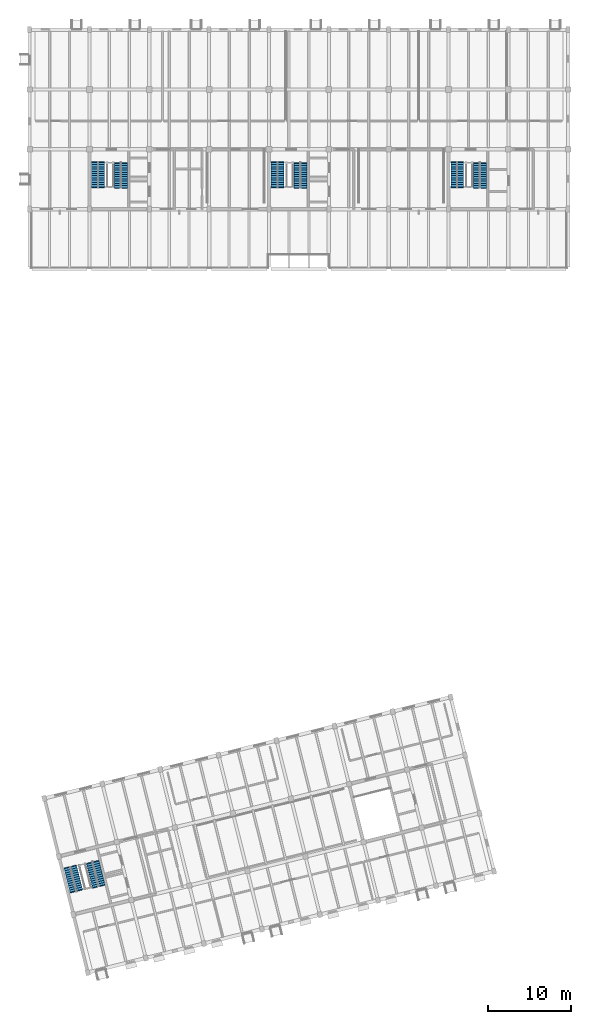
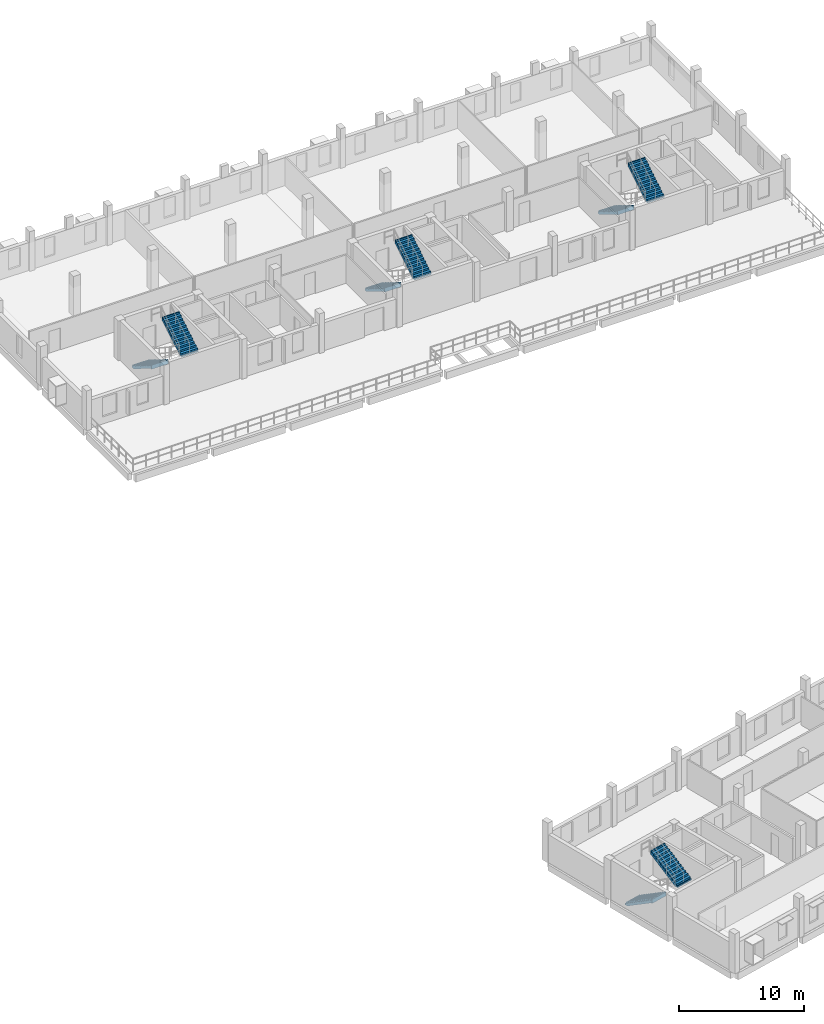
# One storey, part 12 of 14: 8 stair flights, 4 elements without a shape of their own.
"""IFC4 building model written with IfcOpenShell, lengths in metres."""

from ifc_helpers import new_model, si_unit, direction, frame, origin, place, context, subcontext, project, spatial, polyline, outline, extrude, material, type_object, element, aggregate, save


model = new_model("IFC4")

# Units and contexts
model_context = context("Model", 3, precision=1e-05, world=origin(), true_north=direction((0.0, 1.0)))
body_context = subcontext(model_context, "Body", "Model", "MODEL_VIEW")
ifc_project = project(units=[si_unit("LENGTHUNIT", "METRE"), si_unit("AREAUNIT", "SQUARE_METRE"), si_unit("VOLUMEUNIT", "CUBIC_METRE"), si_unit("PLANEANGLEUNIT", "RADIAN"), si_unit("MASSUNIT", "GRAM", prefix="KILO")], contexts=[model_context])

# Site, building, storey
site_placement = place(None, origin())
site = spatial("IfcSite", under=ifc_project, at=site_placement, CompositionType="ELEMENT")
building_placement = place(site_placement, origin())
building = spatial("IfcBuilding", under=site, at=building_placement, Name="Qiaolan Assembly House", CompositionType="ELEMENT")
storey_placement = place(building_placement, frame((0.0, 0.0, 22.5)))
storey = spatial("IfcBuildingStorey", under=building, at=storey_placement, Name="L05", CompositionType="ELEMENT", Elevation=22.5)

# Stair, stair flights
ifc_material = material(Name="Concrete C40/50", Category="concrete")
stair_type = type_object("IfcStairType", Name="STR-UPPER-390", PredefinedType="HALF_TURN_STAIR", material=ifc_material)
stair_1_placement = place(storey_placement, origin())
stair_1 = element("IfcStair", 1, at=stair_1_placement, inside=storey, type_object=stair_type, Name="ST-08 enclosed egress stair CORE-A L05", PredefinedType="HALF_TURN_STAIR")
stair_flight_type = type_object("IfcStairFlightType", Name="STR-UPPER-390-FLT", PredefinedType="STRAIGHT", material=ifc_material)
stair_flight_1_placement = place(storey_placement, frame((44.25, 99.2099609375, 0.0), z_axis=(0.0, 0.0, 1.0), x_axis=(0.0, -1.0, 0.0)))
stair_flight_1 = element("IfcStairFlight", 2, at=stair_flight_1_placement, type_object=stair_flight_type, Name="ST-08F stair flight FLT-CORE-A-L05-1", NumberOfRisers=12, NumberOfTreads=11, PredefinedType="STRAIGHT", RiserHeight=0.1625, TreadLength=0.265, context=body_context, shape_type="SweptSolid", body=[
    extrude(outline(polyline([(-0.10009765625, -0.1201171875), (-0.10009765625, 0.0), (0.0, 0.0), (0.0, 0.16259765625), (0.264892578125, 0.16259765625), (0.264892578125, 0.324951171875), (0.530029296875, 0.324951171875), (0.530029296875, 0.487548828125), (0.794921875, 0.487548828125), (0.794921875, 0.64990234375), (1.06005859375, 0.64990234375), (1.06005859375, 0.8125), (1.324951171875, 0.8125), (1.324951171875, 0.97509765625), (1.590087890625, 0.97509765625), (1.590087890625, 1.137451171875), (1.85498046875, 1.137451171875), (1.85498046875, 1.300048828125), (2.1201171875, 1.300048828125), (2.1201171875, 1.46240234375), (2.385009765625, 1.46240234375), (2.385009765625, 1.625), (2.64990234375, 1.625), (2.64990234375, 1.78759765625), (2.9150390625, 1.78759765625), (2.9150390625, 1.949951171875), (3.03515625, 1.949951171875), (3.03515625, 1.552978515625), (2.9150390625, 1.552978515625), (0.1865234375, -0.1201171875), (-0.10009765625, -0.1201171875)])), frame((0.0, 0.780029296875, 0.0), z_axis=(0.0, -1.0, 0.0), x_axis=(1.0, 0.0, 0.0)), (0.0, 0.0, 1.0), 1.56005859375),
])
stair_flight_2_placement = place(storey_placement, frame((47.0, 96.175048828125, 1.949951171875), z_axis=(0.0, 0.0, 1.0), x_axis=(0.0, 1.0, 0.0)))
stair_flight_2 = element("IfcStairFlight", 3, at=stair_flight_2_placement, type_object=stair_flight_type, Name="ST-08F stair flight FLT-CORE-A-L05-2", NumberOfRisers=12, NumberOfTreads=11, PredefinedType="STRAIGHT", RiserHeight=0.1625, TreadLength=0.265, context=body_context, shape_type="SweptSolid", body=[
    extrude(outline(polyline([(-0.10009765625, -0.1201171875), (-0.10009765625, 0.0), (0.0, 0.0), (0.0, 0.16259765625), (0.264892578125, 0.16259765625), (0.264892578125, 0.324951171875), (0.530029296875, 0.324951171875), (0.530029296875, 0.487548828125), (0.794921875, 0.487548828125), (0.794921875, 0.64990234375), (1.06005859375, 0.64990234375), (1.06005859375, 0.8125), (1.324951171875, 0.8125), (1.324951171875, 0.97509765625), (1.590087890625, 0.97509765625), (1.590087890625, 1.137451171875), (1.85498046875, 1.137451171875), (1.85498046875, 1.300048828125), (2.1201171875, 1.300048828125), (2.1201171875, 1.46240234375), (2.385009765625, 1.46240234375), (2.385009765625, 1.625), (2.64990234375, 1.625), (2.64990234375, 1.78759765625), (2.9150390625, 1.78759765625), (2.9150390625, 1.949951171875), (3.03515625, 1.949951171875), (3.03515625, 1.552978515625), (2.9150390625, 1.552978515625), (0.1865234375, -0.1201171875), (-0.10009765625, -0.1201171875)])), frame((0.0, 0.780029296875, 0.0), z_axis=(0.0, -1.0, 0.0), x_axis=(1.0, 0.0, 0.0)), (0.0, 0.0, 1.0), 1.56005859375),
])
aggregate(stair_1, [stair_flight_1, stair_flight_2])

stair_2_placement = place(storey_placement, origin())
stair_2 = element("IfcStair", 4, at=stair_2_placement, inside=storey, type_object=stair_type, Name="ST-08 enclosed egress stair CORE-B L05", PredefinedType="HALF_TURN_STAIR")
stair_flight_3_placement = place(storey_placement, frame((65.85009765625, 99.2099609375, 0.0), z_axis=(0.0, 0.0, 1.0), x_axis=(0.0, -1.0, 0.0)))
stair_flight_3 = element("IfcStairFlight", 5, at=stair_flight_3_placement, type_object=stair_flight_type, Name="ST-08F stair flight FLT-CORE-B-L05-1", NumberOfRisers=12, NumberOfTreads=11, PredefinedType="STRAIGHT", RiserHeight=0.1625, TreadLength=0.265, context=body_context, shape_type="SweptSolid", body=[
    extrude(outline(polyline([(-0.10009765625, -0.1201171875), (-0.10009765625, 0.0), (0.0, 0.0), (0.0, 0.16259765625), (0.264892578125, 0.16259765625), (0.264892578125, 0.324951171875), (0.530029296875, 0.324951171875), (0.530029296875, 0.487548828125), (0.794921875, 0.487548828125), (0.794921875, 0.64990234375), (1.06005859375, 0.64990234375), (1.06005859375, 0.8125), (1.324951171875, 0.8125), (1.324951171875, 0.97509765625), (1.590087890625, 0.97509765625), (1.590087890625, 1.137451171875), (1.85498046875, 1.137451171875), (1.85498046875, 1.300048828125), (2.1201171875, 1.300048828125), (2.1201171875, 1.46240234375), (2.385009765625, 1.46240234375), (2.385009765625, 1.625), (2.64990234375, 1.625), (2.64990234375, 1.78759765625), (2.9150390625, 1.78759765625), (2.9150390625, 1.949951171875), (3.03515625, 1.949951171875), (3.03515625, 1.552978515625), (2.9150390625, 1.552978515625), (0.1865234375, -0.1201171875), (-0.10009765625, -0.1201171875)])), frame((0.0, 0.780029296875, 0.0), z_axis=(0.0, -1.0, 0.0), x_axis=(1.0, 0.0, 0.0)), (0.0, 0.0, 1.0), 1.56005859375),
])
stair_flight_4_placement = place(storey_placement, frame((68.60009765625, 96.175048828125, 1.949951171875), z_axis=(0.0, 0.0, 1.0), x_axis=(0.0, 1.0, 0.0)))
stair_flight_4 = element("IfcStairFlight", 6, at=stair_flight_4_placement, type_object=stair_flight_type, Name="ST-08F stair flight FLT-CORE-B-L05-2", NumberOfRisers=12, NumberOfTreads=11, PredefinedType="STRAIGHT", RiserHeight=0.1625, TreadLength=0.265, context=body_context, shape_type="SweptSolid", body=[
    extrude(outline(polyline([(-0.10009765625, -0.1201171875), (-0.10009765625, 0.0), (0.0, 0.0), (0.0, 0.16259765625), (0.264892578125, 0.16259765625), (0.264892578125, 0.324951171875), (0.530029296875, 0.324951171875), (0.530029296875, 0.487548828125), (0.794921875, 0.487548828125), (0.794921875, 0.64990234375), (1.06005859375, 0.64990234375), (1.06005859375, 0.8125), (1.324951171875, 0.8125), (1.324951171875, 0.97509765625), (1.590087890625, 0.97509765625), (1.590087890625, 1.137451171875), (1.85498046875, 1.137451171875), (1.85498046875, 1.300048828125), (2.1201171875, 1.300048828125), (2.1201171875, 1.46240234375), (2.385009765625, 1.46240234375), (2.385009765625, 1.625), (2.64990234375, 1.625), (2.64990234375, 1.78759765625), (2.9150390625, 1.78759765625), (2.9150390625, 1.949951171875), (3.03515625, 1.949951171875), (3.03515625, 1.552978515625), (2.9150390625, 1.552978515625), (0.1865234375, -0.1201171875), (-0.10009765625, -0.1201171875)])), frame((0.0, 0.780029296875, 0.0), z_axis=(0.0, -1.0, 0.0), x_axis=(1.0, 0.0, 0.0)), (0.0, 0.0, 1.0), 1.56005859375),
])
aggregate(stair_2, [stair_flight_3, stair_flight_4])

stair_3_placement = place(storey_placement, origin())
stair_3 = element("IfcStair", 7, at=stair_3_placement, inside=storey, type_object=stair_type, Name="ST-08 enclosed egress stair CORE-G L05", PredefinedType="HALF_TURN_STAIR")
stair_flight_5_placement = place(storey_placement, frame((87.449951171875, 99.2099609375, 0.0), z_axis=(0.0, 0.0, 1.0), x_axis=(0.0, -1.0, 0.0)))
stair_flight_5 = element("IfcStairFlight", 8, at=stair_flight_5_placement, type_object=stair_flight_type, Name="ST-08F stair flight FLT-CORE-G-L05-1", NumberOfRisers=12, NumberOfTreads=11, PredefinedType="STRAIGHT", RiserHeight=0.1625, TreadLength=0.265, context=body_context, shape_type="SweptSolid", body=[
    extrude(outline(polyline([(-0.10009765625, -0.1201171875), (-0.10009765625, 0.0), (0.0, 0.0), (0.0, 0.16259765625), (0.264892578125, 0.16259765625), (0.264892578125, 0.324951171875), (0.530029296875, 0.324951171875), (0.530029296875, 0.487548828125), (0.794921875, 0.487548828125), (0.794921875, 0.64990234375), (1.06005859375, 0.64990234375), (1.06005859375, 0.8125), (1.324951171875, 0.8125), (1.324951171875, 0.97509765625), (1.590087890625, 0.97509765625), (1.590087890625, 1.137451171875), (1.85498046875, 1.137451171875), (1.85498046875, 1.300048828125), (2.1201171875, 1.300048828125), (2.1201171875, 1.46240234375), (2.385009765625, 1.46240234375), (2.385009765625, 1.625), (2.64990234375, 1.625), (2.64990234375, 1.78759765625), (2.9150390625, 1.78759765625), (2.9150390625, 1.949951171875), (3.03515625, 1.949951171875), (3.03515625, 1.552978515625), (2.9150390625, 1.552978515625), (0.1865234375, -0.1201171875), (-0.10009765625, -0.1201171875)])), frame((0.0, 0.780029296875, 0.0), z_axis=(0.0, -1.0, 0.0), x_axis=(1.0, 0.0, 0.0)), (0.0, 0.0, 1.0), 1.56005859375),
])
stair_flight_6_placement = place(storey_placement, frame((90.199951171875, 96.175048828125, 1.949951171875), z_axis=(0.0, 0.0, 1.0), x_axis=(0.0, 1.0, 0.0)))
stair_flight_6 = element("IfcStairFlight", 9, at=stair_flight_6_placement, type_object=stair_flight_type, Name="ST-08F stair flight FLT-CORE-G-L05-2", NumberOfRisers=12, NumberOfTreads=11, PredefinedType="STRAIGHT", RiserHeight=0.1625, TreadLength=0.265, context=body_context, shape_type="SweptSolid", body=[
    extrude(outline(polyline([(-0.10009765625, -0.1201171875), (-0.10009765625, 0.0), (0.0, 0.0), (0.0, 0.16259765625), (0.264892578125, 0.16259765625), (0.264892578125, 0.324951171875), (0.530029296875, 0.324951171875), (0.530029296875, 0.487548828125), (0.794921875, 0.487548828125), (0.794921875, 0.64990234375), (1.06005859375, 0.64990234375), (1.06005859375, 0.8125), (1.324951171875, 0.8125), (1.324951171875, 0.97509765625), (1.590087890625, 0.97509765625), (1.590087890625, 1.137451171875), (1.85498046875, 1.137451171875), (1.85498046875, 1.300048828125), (2.1201171875, 1.300048828125), (2.1201171875, 1.46240234375), (2.385009765625, 1.46240234375), (2.385009765625, 1.625), (2.64990234375, 1.625), (2.64990234375, 1.78759765625), (2.9150390625, 1.78759765625), (2.9150390625, 1.949951171875), (3.03515625, 1.949951171875), (3.03515625, 1.552978515625), (2.9150390625, 1.552978515625), (0.1865234375, -0.1201171875), (-0.10009765625, -0.1201171875)])), frame((0.0, 0.780029296875, 0.0), z_axis=(0.0, -1.0, 0.0), x_axis=(1.0, 0.0, 0.0)), (0.0, 0.0, 1.0), 1.56005859375),
])
aggregate(stair_3, [stair_flight_5, stair_flight_6])

stair_4_placement = place(storey_placement, origin())
stair_4 = element("IfcStair", 10, at=stair_4_placement, inside=storey, type_object=stair_type, Name="ST-08 enclosed egress stair CORE-C L05", PredefinedType="HALF_TURN_STAIR")
stair_flight_7_placement = place(storey_placement, frame((40.906005859375, 14.42529296875, 0.0), z_axis=(0.0, 0.0, 1.0), x_axis=(0.241921878665, -0.970295730498, 0.0)))
stair_flight_7 = element("IfcStairFlight", 11, at=stair_flight_7_placement, type_object=stair_flight_type, Name="ST-08F stair flight FLT-CORE-C-L05-1", NumberOfRisers=12, NumberOfTreads=11, PredefinedType="STRAIGHT", RiserHeight=0.1625, TreadLength=0.265, context=body_context, shape_type="SweptSolid", body=[
    extrude(outline(polyline([(-0.10009765625, -0.1201171875), (-0.10009765625, 0.0), (0.0, 0.0), (0.0, 0.16259765625), (0.264892578125, 0.16259765625), (0.264892578125, 0.324951171875), (0.530029296875, 0.324951171875), (0.530029296875, 0.487548828125), (0.794921875, 0.487548828125), (0.794921875, 0.64990234375), (1.06005859375, 0.64990234375), (1.06005859375, 0.8125), (1.324951171875, 0.8125), (1.324951171875, 0.97509765625), (1.590087890625, 0.97509765625), (1.590087890625, 1.137451171875), (1.85498046875, 1.137451171875), (1.85498046875, 1.300048828125), (2.1201171875, 1.300048828125), (2.1201171875, 1.46240234375), (2.385009765625, 1.46240234375), (2.385009765625, 1.625), (2.64990234375, 1.625), (2.64990234375, 1.78759765625), (2.9150390625, 1.78759765625), (2.9150390625, 1.949951171875), (3.03515625, 1.949951171875), (3.03515625, 1.552978515625), (2.9150390625, 1.552978515625), (0.1865234375, -0.1201171875), (-0.10009765625, -0.1201171875)])), frame((0.0, 0.780029296875, 0.0), z_axis=(0.0, -1.0, 0.0), x_axis=(1.0, 0.0, 0.0)), (0.0, 0.0, 1.0), 1.56005859375),
])
stair_flight_8_placement = place(storey_placement, frame((44.308349609375, 12.145751953125, 1.949951171875), z_axis=(0.0, 0.0, 1.0), x_axis=(-0.241921641577, 0.970295789611, 0.0)))
stair_flight_8 = element("IfcStairFlight", 12, at=stair_flight_8_placement, type_object=stair_flight_type, Name="ST-08F stair flight FLT-CORE-C-L05-2", NumberOfRisers=12, NumberOfTreads=11, PredefinedType="STRAIGHT", RiserHeight=0.1625, TreadLength=0.265, context=body_context, shape_type="SweptSolid", body=[
    extrude(outline(polyline([(-0.10009765625, -0.1201171875), (-0.10009765625, 0.0), (0.0, 0.0), (0.0, 0.16259765625), (0.264892578125, 0.16259765625), (0.264892578125, 0.324951171875), (0.530029296875, 0.324951171875), (0.530029296875, 0.487548828125), (0.794921875, 0.487548828125), (0.794921875, 0.64990234375), (1.06005859375, 0.64990234375), (1.06005859375, 0.8125), (1.324951171875, 0.8125), (1.324951171875, 0.97509765625), (1.590087890625, 0.97509765625), (1.590087890625, 1.137451171875), (1.85498046875, 1.137451171875), (1.85498046875, 1.300048828125), (2.1201171875, 1.300048828125), (2.1201171875, 1.46240234375), (2.385009765625, 1.46240234375), (2.385009765625, 1.625), (2.64990234375, 1.625), (2.64990234375, 1.78759765625), (2.9150390625, 1.78759765625), (2.9150390625, 1.949951171875), (3.03515625, 1.949951171875), (3.03515625, 1.552978515625), (2.9150390625, 1.552978515625), (0.1865234375, -0.1201171875), (-0.10009765625, -0.1201171875)])), frame((0.0, 0.780029296875, 0.0), z_axis=(0.0, -1.0, 0.0), x_axis=(1.0, 0.0, 0.0)), (0.0, 0.0, 1.0), 1.56005859375),
])
aggregate(stair_4, [stair_flight_7, stair_flight_8])

save(model, "model.ifc")
